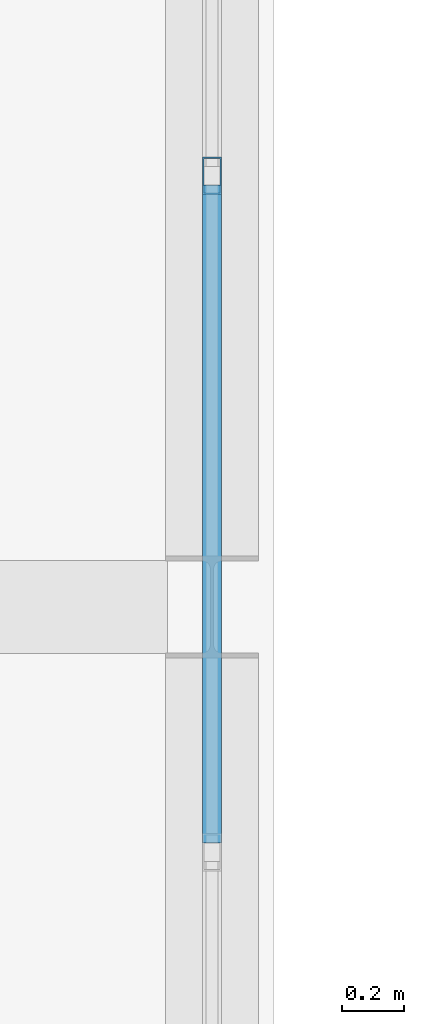
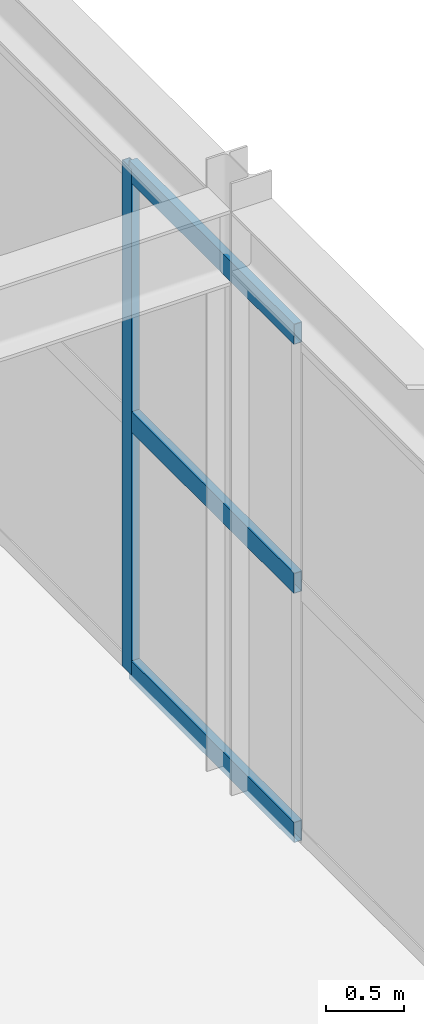
# One storey, part 79 of 112: 4 members, 1 element without a shape of its own.
"""IFC4 building model written with IfcOpenShell, lengths in metres."""

from ifc_helpers import new_model, si_unit, direction, frame, origin, origin_2d, place, context, subcontext, project, spatial, hollow_rectangle, extrude, material, material_profile, profile_set, type_object, element, aggregate, save


model = new_model("IFC4")

# Units and contexts
model_context = context("Model", 3, precision=1e-05, world=origin(), true_north=direction((0.0, 1.0)))
body_context = subcontext(model_context, "Body", "Model", "MODEL_VIEW")
ifc_project = project(units=[si_unit("LENGTHUNIT", "METRE"), si_unit("AREAUNIT", "SQUARE_METRE"), si_unit("VOLUMEUNIT", "CUBIC_METRE"), si_unit("PLANEANGLEUNIT", "RADIAN"), si_unit("MASSUNIT", "GRAM", prefix="KILO")], contexts=[model_context])

# Site, building, storey
site_placement = place(None, origin())
site = spatial("IfcSite", under=ifc_project, at=site_placement, CompositionType="ELEMENT")
building_placement = place(site_placement, origin())
building = spatial("IfcBuilding", under=site, at=building_placement, Name="Kaldris Quays Convention Centre", CompositionType="ELEMENT")
storey_placement = place(building_placement, frame((0.0, 0.0, 16.800048828125)))
storey = spatial("IfcBuildingStorey", under=building, at=storey_placement, Name="L03", CompositionType="ELEMENT", Elevation=16.800048828125)

# Curtain wall, members
ifc_material_1 = material(Name="Anodized aluminium AW-6060 and triple glazing", Category="aluminium")
curtain_wall_type = type_object("IfcCurtainWallType", Name="UNITISED CURTAIN WALL CW06", PredefinedType="NOTDEFINED", material=ifc_material_1)
curtain_wall_placement = place(storey_placement, origin())
curtain_wall = element("IfcCurtainWall", 1, at=curtain_wall_placement, inside=storey, type_object=curtain_wall_type, Name="L03 Unitised Curtain Wall CW06 179", PredefinedType="NOTDEFINED")
ifc_material_2 = material(Name="Anodized aluminium AW-6060", Category="aluminium")
ifc_material_profile_1 = material_profile(ifc_material_2, hollow_rectangle(XDim=0.06005859375, YDim=0.1201171875, WallThickness=0.00390625, at=origin_2d()), Name="RHS 120x60x4")
ifc_profile_set_1 = profile_set([ifc_material_profile_1], Name="Anodized aluminium AW-6060")
member_type_1 = type_object("IfcMemberType", Name="CURTAIN MULLION CWM3", PredefinedType="MULLION", material=ifc_profile_set_1)
member_1_placement = place(storey_placement, frame((194.0, 111.389892578125, 0.0), z_axis=(0.0, 0.0, 1.0), x_axis=(-1.0, 0.0, 0.0)))
member_1 = element("IfcMember", 2, at=member_1_placement, type_object=member_type_1, Name="CW06 mullion 4", PredefinedType="MULLION", context=body_context, shape_type="SweptSolid", body=[
    extrude(hollow_rectangle(XDim=0.06005859375, YDim=0.1201171875, WallThickness=0.00390625, at=origin_2d()), origin(), (0.0, 0.0, 1.0), 3.967041015625),
])
ifc_material_profile_2 = material_profile(ifc_material_2, hollow_rectangle(XDim=0.06005859375, YDim=0.159912109375, WallThickness=0.00390625, at=origin_2d()), Name="RHS 160x60x4")
ifc_profile_set_2 = profile_set([ifc_material_profile_2], Name="Anodized aluminium AW-6060")
member_type_2 = type_object("IfcMemberType", Name="CURTAIN TRANSOM CWT2", PredefinedType="USERDEFINED", material=ifc_profile_set_2)
member_2_placement = place(storey_placement, frame((194.0, 109.239990234375, 0.030029296875), z_axis=(0.0, 1.0, 0.0), x_axis=(-1.0, 0.0, 0.0)))
member_2 = element("IfcMember", 3, at=member_2_placement, type_object=member_type_2, Name="CW06 transom 3.1", ObjectType="TRANSOM", PredefinedType="USERDEFINED", context=body_context, shape_type="SweptSolid", body=[
    extrude(hollow_rectangle(XDim=0.06005859375, YDim=0.159912109375, WallThickness=0.00390625, at=origin_2d()), origin(), (0.0, 0.0, 1.0), 2.1201171875),
])
member_3_placement = place(storey_placement, frame((194.0, 109.239990234375, 1.98388671875), z_axis=(0.0, 1.0, 0.0), x_axis=(-1.0, 0.0, 0.0)))
member_3 = element("IfcMember", 4, at=member_3_placement, type_object=member_type_2, Name="CW06 transom 3.2", ObjectType="TRANSOM", PredefinedType="USERDEFINED", context=body_context, shape_type="SweptSolid", body=[
    extrude(hollow_rectangle(XDim=0.06005859375, YDim=0.159912109375, WallThickness=0.00390625, at=origin_2d()), origin(), (0.0, 0.0, 1.0), 2.1201171875),
])
member_4_placement = place(storey_placement, frame((194.0, 109.239990234375, 3.93701171875), z_axis=(0.0, 1.0, 0.0), x_axis=(-1.0, 0.0, 0.0)))
member_4 = element("IfcMember", 5, at=member_4_placement, type_object=member_type_2, Name="CW06 transom 3.3", ObjectType="TRANSOM", PredefinedType="USERDEFINED", context=body_context, shape_type="SweptSolid", body=[
    extrude(hollow_rectangle(XDim=0.06005859375, YDim=0.159912109375, WallThickness=0.00390625, at=origin_2d()), origin(), (0.0, 0.0, 1.0), 2.1201171875),
])
aggregate(curtain_wall, [member_1, member_2, member_3, member_4])

save(model, "model.ifc")
